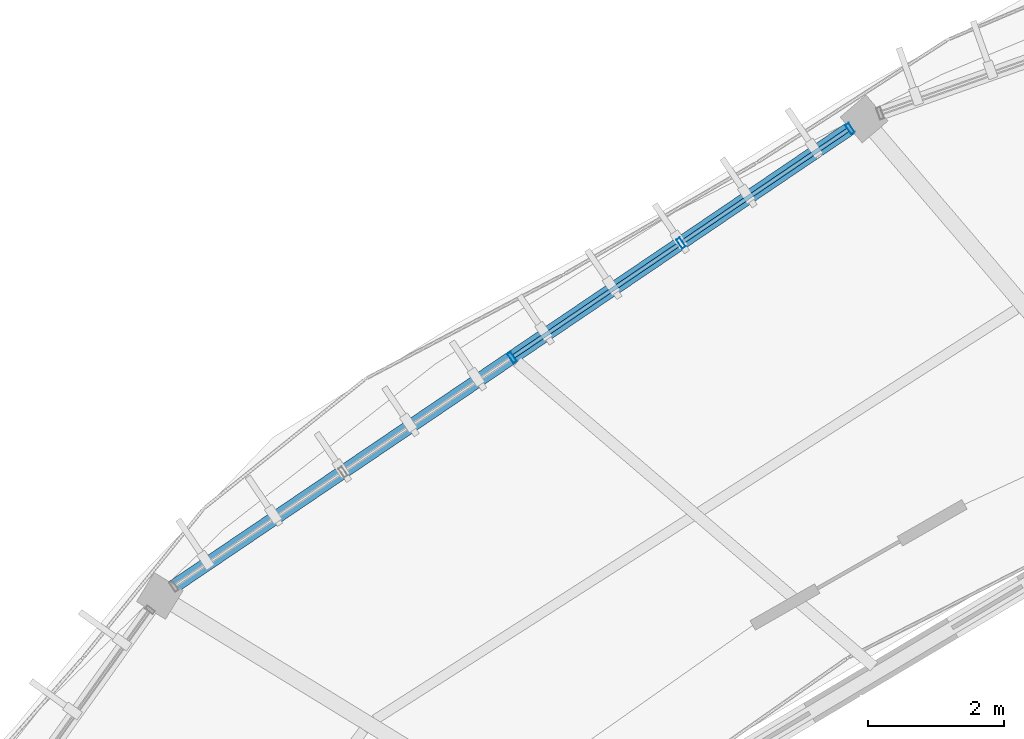
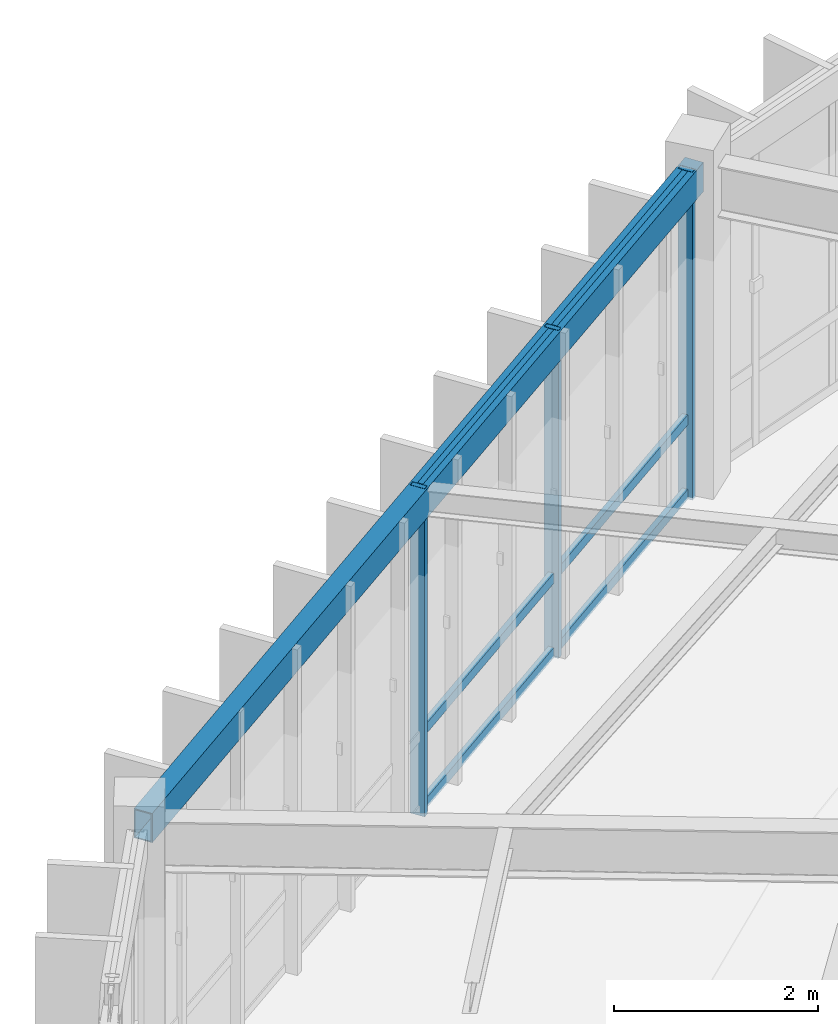
# One storey, part 29 of 78: 9 members, 1 beam, 1 element without a shape of its own.
"""IFC4 building model written with IfcOpenShell, lengths in metres."""

import ifcopenshell
import ifcopenshell.guid

model = None  # the IFC model being written
_history = None  # IfcOwnerHistory: only IFC2X3 demands one
_inside = {}  # id of a spatial element -> (the spatial element, [elements in it])
_under = {}  # id of a project, library or spatial element -> (it, [spatial elements below it])
_declared = {}  # id of a project -> (the project, [libraries it declares])
_typed = {}  # id of a type object -> (the type object, [elements of that type])
_made_of = {}  # id of a material, layer set ... -> (it, [elements and type objects made of it])


def new_model(schema):
    """Start an empty IFC model of exactly this schema.

    Asked for "IFC4X3", IfcOpenShell would pick the latest addendum, in which some entities
    have other attributes; the version numbers below select the first issue.
    IFC2X3 requires an IfcOwnerHistory on every rooted entity: one is made here for all.
    """
    global model, _history
    if schema == "IFC4X3":
        model = ifcopenshell.file(schema_version=(4, 3, 0, 0))
    else:
        model = ifcopenshell.file(schema=schema)
    _inside.clear()
    _under.clear()
    _declared.clear()
    _typed.clear()
    _made_of.clear()
    _history = None
    if model.schema == "IFC2X3":
        org = make("IfcOrganization", Name="unknown")
        user = make(
            "IfcPersonAndOrganization",
            ThePerson=make("IfcPerson", FamilyName="unknown"),
            TheOrganization=org,
        )
        app = make(
            "IfcApplication",
            ApplicationDeveloper=org,
            Version="unknown",
            ApplicationFullName="unknown",
            ApplicationIdentifier="unknown",
        )
        _history = make(
            "IfcOwnerHistory",
            OwningUser=user,
            OwningApplication=app,
            ChangeAction="ADDED",
            CreationDate=0,
        )
    return model


def make(cls, **values):
    """One entity of the class cls with the attributes given. An attribute that is None is left unset."""
    return model.create_entity(
        cls, **{name: value for name, value in values.items() if value is not None}
    )


def rooted(cls, **values):
    """An entity with a GlobalId (a new one), such as an element, a storey or a relation."""
    return make(cls, GlobalId=ifcopenshell.guid.new(), OwnerHistory=_history, **values)


def si_unit(unit_type, name, prefix=None):
    """IfcSIUnit, for example si_unit("LENGTHUNIT", "METRE", prefix="MILLI")."""
    return make("IfcSIUnit", UnitType=unit_type, Prefix=prefix, Name=name)


def assignment(units):
    """IfcUnitAssignment: the units of a project."""
    return None if units is None else make("IfcUnitAssignment", Units=units)


def point(xyz):
    """IfcCartesianPoint."""
    return None if xyz is None else make("IfcCartesianPoint", Coordinates=xyz)


def direction(xyz):
    """IfcDirection."""
    return None if xyz is None else make("IfcDirection", DirectionRatios=xyz)


def frame(location, z_axis=None, x_axis=None):
    """IfcAxis2Placement3D, a coordinate frame: its origin and axes. An axis left out is left unset."""
    return make(
        "IfcAxis2Placement3D",
        Location=point(location),
        Axis=direction(z_axis),
        RefDirection=direction(x_axis),
    )


def frame_2d(location, x_axis=None):
    """IfcAxis2Placement2D, a coordinate frame in the plane: its origin and x axis."""
    return make(
        "IfcAxis2Placement2D", Location=point(location), RefDirection=direction(x_axis)
    )


def origin():
    """The frame at (0, 0, 0) with its axes left unset."""
    return frame((0.0, 0.0, 0.0))


def origin_2d():
    """The frame at (0, 0) in the plane with its x axis left unset."""
    return frame_2d((0.0, 0.0))


def place(relative_to, where):
    """IfcLocalPlacement: puts the frame where relative to a parent placement (None: the world)."""
    return make(
        "IfcLocalPlacement", PlacementRelTo=relative_to, RelativePlacement=where
    )


def context(
    kind, dimensions, precision=None, world=None, true_north=None, identifier=None
):
    """IfcGeometricRepresentationContext, for example the 3D "Model" context."""
    return make(
        "IfcGeometricRepresentationContext",
        ContextIdentifier=identifier,
        ContextType=kind,
        CoordinateSpaceDimension=dimensions,
        Precision=precision,
        WorldCoordinateSystem=world,
        TrueNorth=true_north,
    )


def subcontext(parent, identifier, kind, view, scale=None):
    """IfcGeometricRepresentationSubContext, for example "Body" below "Model"."""
    return make(
        "IfcGeometricRepresentationSubContext",
        ContextIdentifier=identifier,
        ContextType=kind,
        ParentContext=parent,
        TargetScale=scale,
        TargetView=view,
    )


def project(units=None, contexts=None):
    """IfcProject with its units and contexts."""
    return rooted(
        "IfcProject",
        Name="project",
        RepresentationContexts=contexts,
        UnitsInContext=assignment(units),
    )


def spatial(cls, under=None, at=None, **own):
    """A site, building, storey or space (cls), placed at a placement, below another one or the project."""
    s = rooted(cls, ObjectPlacement=at, **own)
    if under is not None:
        _under.setdefault(under.id(), (under, []))[1].append(s)
    return s


def profile(cls, at=None, kind="AREA", **sizes):
    """A parametric profile (cls). Its sizes go by their IFC names, for example OverallWidth=200.0."""
    return make(cls, ProfileType=kind, Position=at, **sizes)


def hollow_rectangle(**sizes):
    """IfcRectangleHollowProfileDef."""
    return profile("IfcRectangleHollowProfileDef", **sizes)


def extrude(swept, where, along, depth):
    """IfcExtrudedAreaSolid: the profile swept, set in the frame where, extruded along a direction by depth."""
    return make(
        "IfcExtrudedAreaSolid",
        SweptArea=swept,
        Position=where,
        ExtrudedDirection=direction(along),
        Depth=depth,
    )


def shape(context_of_items, identifier, shape_type, items):
    """IfcShapeRepresentation: the items that make up one representation, for example the "Body"."""
    return make(
        "IfcShapeRepresentation",
        ContextOfItems=context_of_items,
        RepresentationIdentifier=identifier,
        RepresentationType=shape_type,
        Items=items,
    )


def material(Name=None, Category=None):
    """IfcMaterial."""
    return make("IfcMaterial", Name=Name, Category=Category)


def material_profile(
    of_material, cross_section, Name=None, Category=None, Priority=None
):
    """IfcMaterialProfile: a cross section and its material."""
    return make(
        "IfcMaterialProfile",
        Name=Name,
        Material=of_material,
        Profile=cross_section,
        Priority=Priority,
        Category=Category,
    )


def profile_set(profiles, Name=None, composite=None):
    """IfcMaterialProfileSet."""
    return make(
        "IfcMaterialProfileSet",
        Name=Name,
        MaterialProfiles=profiles,
        CompositeProfile=composite,
    )


def made_of(thing, what):
    """Note that an element or type object is made of a material, layer set ...; save() writes the relation."""
    if what is not None:
        _made_of.setdefault(what.id(), (what, []))[1].append(thing)
    return thing


def type_object(cls, material=None, **own):
    """A type object (cls), such as IfcWallType, which elements share."""
    return made_of(rooted(cls, **own), material)


def element(
    cls,
    number,
    at=None,
    inside=None,
    cuts=None,
    type_object=None,
    material=None,
    context=None,
    identifier="Body",
    shape_type=None,
    held_by="IfcProductDefinitionShape",
    body=None,
    shapes=None,
    **own,
):
    """One element of the class cls, such as IfcWall. Its Tag is "e" and its number.

    at: its placement. inside: the storey or other place that contains it. cuts: it is an
    opening in that element (IfcRelVoidsElement). A single representation is given by context,
    identifier, shape_type and body (its items); several are given by shapes. held_by: the class
    of the entity that holds the representations. save() writes the other relations.
    """
    e = rooted(cls, Tag="e%d" % number, ObjectPlacement=at, **own)
    if body is not None:
        shapes = [shape(context, identifier, shape_type, body)]
    if shapes is not None:
        e.Representation = make(held_by, Representations=shapes)
    if inside is not None:
        _inside.setdefault(inside.id(), (inside, []))[1].append(e)
    if cuts is not None:
        rooted(
            "IfcRelVoidsElement", RelatingBuildingElement=cuts, RelatedOpeningElement=e
        )
    if type_object is not None:
        _typed.setdefault(type_object.id(), (type_object, []))[1].append(e)
    return made_of(e, material)


def aggregate(whole, parts):
    """IfcRelAggregates: a whole, such as a stair, and the parts it consists of."""
    return rooted("IfcRelAggregates", RelatingObject=whole, RelatedObjects=parts)


def save(model, path):
    """Write the relations noted so far, then the file.

    IfcRelAggregates (storeys below a building ...), IfcRelContainedInSpatialStructure (elements
    in a storey), IfcRelDefinesByType, IfcRelAssociatesMaterial and IfcRelDeclares: one each for
    every whole, place, type object, material and project.
    """
    for whole, parts in _under.values():
        aggregate(whole, parts)
    for where, things in _inside.values():
        rooted(
            "IfcRelContainedInSpatialStructure",
            RelatedElements=things,
            RelatingStructure=where,
        )
    for kind, things in _typed.values():
        rooted("IfcRelDefinesByType", RelatedObjects=things, RelatingType=kind)
    for what, things in _made_of.values():
        rooted("IfcRelAssociatesMaterial", RelatedObjects=things, RelatingMaterial=what)
    for by, libraries in _declared.values():
        rooted("IfcRelDeclares", RelatingContext=by, RelatedDefinitions=libraries)
    model.write(path)


model = new_model("IFC4")

# Units and contexts
model_context = context("Model", 3, precision=1e-05, world=origin(), true_north=direction((0.0, 1.0)))
body_context = subcontext(model_context, "Body", "Model", "MODEL_VIEW")
ifc_project = project(units=[si_unit("LENGTHUNIT", "METRE"), si_unit("AREAUNIT", "SQUARE_METRE"), si_unit("VOLUMEUNIT", "CUBIC_METRE"), si_unit("PLANEANGLEUNIT", "RADIAN"), si_unit("MASSUNIT", "GRAM", prefix="KILO"), si_unit("THERMODYNAMICTEMPERATUREUNIT", "KELVIN"), si_unit("POWERUNIT", "WATT")], contexts=[model_context])

# Site, building, storey
site_placement = place(None, origin())
site = spatial("IfcSite", under=ifc_project, at=site_placement, CompositionType="ELEMENT")
building_placement = place(site_placement, origin())
building = spatial("IfcBuilding", under=site, at=building_placement, Name="Darbajah Civic Hall", CompositionType="ELEMENT")
storey_placement = place(building_placement, frame((0.0, 0.0, 26.39990234375)))
storey = spatial("IfcBuildingStorey", under=building, at=storey_placement, Name="L06", CompositionType="ELEMENT", Elevation=26.39990234375)

# Curtain wall, members
ifc_material_1 = material(Name="Anodised Bronze Aluminium and Low-E Glazing", Category="aluminium")
curtain_wall_type = type_object("IfcCurtainWallType", Name="Unitised Curtain Wall CW-81 12000x3900", PredefinedType="USERDEFINED", material=ifc_material_1)
curtain_wall_placement = place(storey_placement, origin())
curtain_wall = element("IfcCurtainWall", 1, at=curtain_wall_placement, inside=storey, type_object=curtain_wall_type, Name="L06 unitised curtain wall CW-V1O-L06-07", ObjectType="UNITISED CURTAIN WALL", PredefinedType="USERDEFINED")
ifc_material_2 = material(Name="Anodised Bronze Aluminium", Category="aluminium")
ifc_material_profile_1 = material_profile(ifc_material_2, hollow_rectangle(XDim=0.06005859375, YDim=0.159912109375, WallThickness=0.00341796875, at=origin_2d()), Name="ALU MULLION 60x160")
ifc_profile_set_1 = profile_set([ifc_material_profile_1], Name="Anodised Bronze Aluminium")
member_type_1 = type_object("IfcMemberType", Name="ALU MULLION 60x160", PredefinedType="MULLION", material=ifc_profile_set_1)
member_1_placement = place(storey_placement, frame((55.769287109375, 112.0908203125, 0.0), z_axis=(0.0, 0.0, 1.0), x_axis=(-0.827962472047, -0.560783509816, 0.0)))
member_1 = element("IfcMember", 2, at=member_1_placement, type_object=member_type_1, Name="CW-V1O-L06-07 mullion 1", PredefinedType="MULLION", context=body_context, shape_type="SweptSolid", body=[
    extrude(hollow_rectangle(XDim=0.06005859375, YDim=0.159912109375, WallThickness=0.00341796875, at=origin_2d()), origin(), (0.0, 0.0, 1.0), 3.920166015625),
])
member_2_placement = place(storey_placement, frame((53.283203125, 110.40673828125, 0.0), z_axis=(0.0, 0.0, 1.0), x_axis=(-0.827962472047, -0.560783509816, 0.0)))
member_2 = element("IfcMember", 3, at=member_2_placement, type_object=member_type_1, Name="CW-V1O-L06-07 mullion 2", PredefinedType="MULLION", context=body_context, shape_type="SweptSolid", body=[
    extrude(hollow_rectangle(XDim=0.06005859375, YDim=0.159912109375, WallThickness=0.00341796875, at=origin_2d()), origin(), (0.0, 0.0, 1.0), 3.920166015625),
])
member_3_placement = place(storey_placement, frame((50.796875, 108.722900390625, 0.0), z_axis=(0.0, 0.0, 1.0), x_axis=(-0.827962472047, -0.560783509816, 0.0)))
member_3 = element("IfcMember", 4, at=member_3_placement, type_object=member_type_1, Name="CW-V1O-L06-07 mullion 3", PredefinedType="MULLION", context=body_context, shape_type="SweptSolid", body=[
    extrude(hollow_rectangle(XDim=0.06005859375, YDim=0.159912109375, WallThickness=0.00341796875, at=origin_2d()), origin(), (0.0, 0.0, 1.0), 3.920166015625),
])
ifc_material_profile_2 = material_profile(ifc_material_2, hollow_rectangle(XDim=0.06005859375, YDim=0.1201171875, WallThickness=0.003173828125, at=origin_2d()), Name="ALU TRANSOM 60x120")
ifc_profile_set_2 = profile_set([ifc_material_profile_2], Name="Anodised Bronze Aluminium")
member_type_2 = type_object("IfcMemberType", Name="ALU TRANSOM 60x120", PredefinedType="USERDEFINED", material=ifc_profile_set_2)
member_4_placement = place(storey_placement, frame((55.740478515625, 112.071044921875, 0.06005859375), z_axis=(-0.828007206335, -0.560717456708, 0.0), x_axis=(0.560717456708, -0.828007206335, 0.0)))
member_4 = element("IfcMember", 5, at=member_4_placement, type_object=member_type_2, Name="CW-V1O-L06-07 transom 1.1", ObjectType="TRANSOM", PredefinedType="USERDEFINED", context=body_context, shape_type="SweptSolid", body=[
    extrude(hollow_rectangle(XDim=0.06005859375, YDim=0.1201171875, WallThickness=0.003173828125, at=origin_2d()), origin(), (0.0, 0.0, 1.0), 2.932861328125),
])
member_5_placement = place(storey_placement, frame((55.740478515625, 112.071044921875, 0.9501953125), z_axis=(-0.828007206335, -0.560717456708, 0.0), x_axis=(0.560717456708, -0.828007206335, 0.0)))
member_5 = element("IfcMember", 6, at=member_5_placement, type_object=member_type_2, Name="CW-V1O-L06-07 transom 1.2", ObjectType="TRANSOM", PredefinedType="USERDEFINED", context=body_context, shape_type="SweptSolid", body=[
    extrude(hollow_rectangle(XDim=0.06005859375, YDim=0.1201171875, WallThickness=0.003173828125, at=origin_2d()), origin(), (0.0, 0.0, 1.0), 2.932861328125),
])
member_6_placement = place(storey_placement, frame((55.740478515625, 112.071044921875, 3.860107421875), z_axis=(-0.828007206335, -0.560717456708, 0.0), x_axis=(0.560717456708, -0.828007206335, 0.0)))
member_6 = element("IfcMember", 7, at=member_6_placement, type_object=member_type_2, Name="CW-V1O-L06-07 transom 1.3", ObjectType="TRANSOM", PredefinedType="USERDEFINED", context=body_context, shape_type="SweptSolid", body=[
    extrude(hollow_rectangle(XDim=0.06005859375, YDim=0.1201171875, WallThickness=0.003173828125, at=origin_2d()), origin(), (0.0, 0.0, 1.0), 2.932861328125),
])
member_7_placement = place(storey_placement, frame((53.254150390625, 110.38720703125, 0.06005859375), z_axis=(-0.82796855878, -0.560774523022, 0.0), x_axis=(0.560774523022, -0.82796855878, 0.0)))
member_7 = element("IfcMember", 8, at=member_7_placement, type_object=member_type_2, Name="CW-V1O-L06-07 transom 2.1", ObjectType="TRANSOM", PredefinedType="USERDEFINED", context=body_context, shape_type="SweptSolid", body=[
    extrude(hollow_rectangle(XDim=0.06005859375, YDim=0.1201171875, WallThickness=0.003173828125, at=origin_2d()), origin(), (0.0, 0.0, 1.0), 2.93310546875),
])
member_8_placement = place(storey_placement, frame((53.254150390625, 110.38720703125, 0.9501953125), z_axis=(-0.82796855878, -0.560774523022, 0.0), x_axis=(0.560774523022, -0.82796855878, 0.0)))
member_8 = element("IfcMember", 9, at=member_8_placement, type_object=member_type_2, Name="CW-V1O-L06-07 transom 2.2", ObjectType="TRANSOM", PredefinedType="USERDEFINED", context=body_context, shape_type="SweptSolid", body=[
    extrude(hollow_rectangle(XDim=0.06005859375, YDim=0.1201171875, WallThickness=0.003173828125, at=origin_2d()), origin(), (0.0, 0.0, 1.0), 2.93310546875),
])
member_9_placement = place(storey_placement, frame((53.254150390625, 110.38720703125, 3.860107421875), z_axis=(-0.82796855878, -0.560774523022, 0.0), x_axis=(0.560774523022, -0.82796855878, 0.0)))
member_9 = element("IfcMember", 10, at=member_9_placement, type_object=member_type_2, Name="CW-V1O-L06-07 transom 2.3", ObjectType="TRANSOM", PredefinedType="USERDEFINED", context=body_context, shape_type="SweptSolid", body=[
    extrude(hollow_rectangle(XDim=0.06005859375, YDim=0.1201171875, WallThickness=0.003173828125, at=origin_2d()), origin(), (0.0, 0.0, 1.0), 2.93310546875),
])
aggregate(curtain_wall, [member_1, member_2, member_3, member_4, member_5, member_6, member_7, member_8, member_9])

# Beam
ifc_material_3 = material(Name="Steel S355JR", Category="steel")
ifc_material_profile_3 = material_profile(ifc_material_3, hollow_rectangle(XDim=0.199951171875, YDim=0.35009765625, WallThickness=0.012451171875, at=origin_2d()), Name="RHS 350x200x12.5")
ifc_profile_set_3 = profile_set([ifc_material_profile_3], Name="Steel S355JR")
beam_type = type_object("IfcBeamType", Name="RHS 350x200x12.5", PredefinedType="SPANDREL", material=ifc_profile_set_3)
beam_placement = place(storey_placement, frame((55.911865234375, 112.18701171875, 3.7451171875), z_axis=(-0.827982022698, -0.560754643394, 0.0), x_axis=(0.560754643394, -0.827982022698, 0.0)))
element("IfcBeam", 11, at=beam_placement, inside=storey, type_object=beam_type, Name="L06 beam SP-RHS350", PredefinedType="SPANDREL", context=body_context, shape_type="SweptSolid", body=[
    extrude(hollow_rectangle(XDim=0.199951171875, YDim=0.35009765625, WallThickness=0.012451171875, at=origin_2d()), origin(), (0.0, 0.0, 1.0), 12.355712890625),
])

save(model, "model.ifc")
